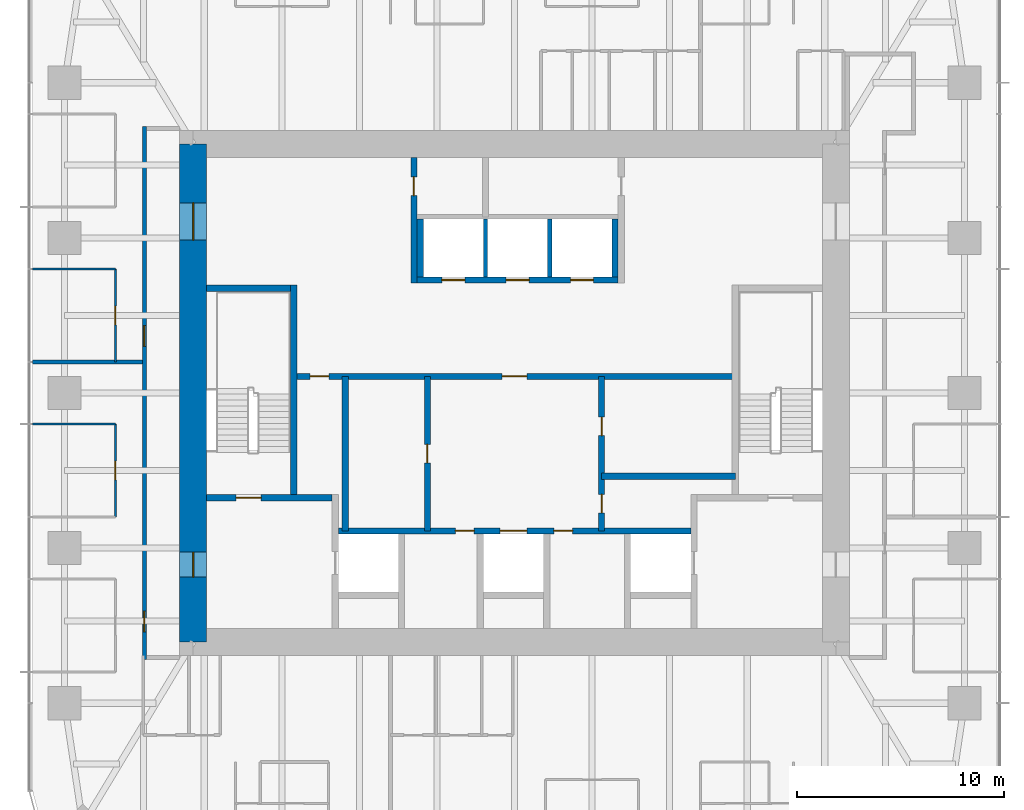
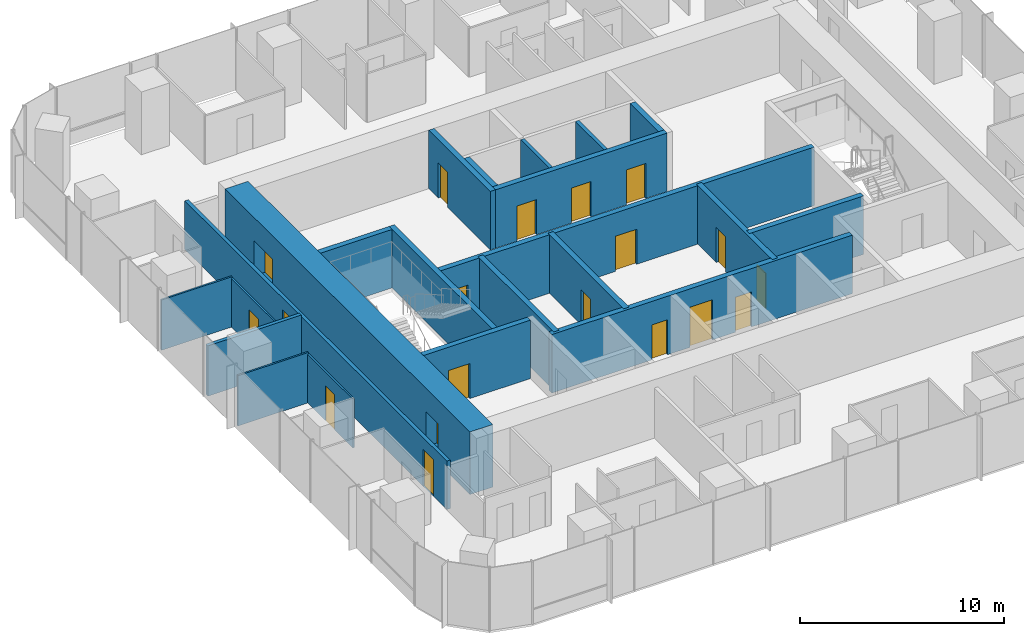
# One storey, part 9 of 12: 22 walls, 19 doors, 19 openings.
"""IFC4 building model written with IfcOpenShell, lengths in metres."""

from ifc_helpers import new_model, si_unit, direction, frame, frame_2d, origin, place, context, subcontext, project, spatial, rectangle, extrude, material, layer, layer_set, type_object, element, fill, save


model = new_model("IFC4")

# Units and contexts
model_context = context("Model", 3, precision=1e-05, world=origin(), true_north=direction((0.0, 1.0)))
body_context = subcontext(model_context, "Body", "Model", "MODEL_VIEW")
ifc_project = project(units=[si_unit("LENGTHUNIT", "METRE"), si_unit("AREAUNIT", "SQUARE_METRE"), si_unit("VOLUMEUNIT", "CUBIC_METRE"), si_unit("PLANEANGLEUNIT", "RADIAN"), si_unit("MASSUNIT", "GRAM", prefix="KILO")], contexts=[model_context])

# Site, building, storey
site_placement = place(None, origin())
site = spatial("IfcSite", under=ifc_project, at=site_placement, CompositionType="ELEMENT")
building_placement = place(site_placement, origin())
building = spatial("IfcBuilding", under=site, at=building_placement, Name="Khuree Lantern Residences", CompositionType="ELEMENT")
storey_placement = place(building_placement, frame((0.0, 0.0, 319.5)))
storey = spatial("IfcBuildingStorey", under=building, at=storey_placement, Name="L80", CompositionType="ELEMENT", Elevation=319.5)

# Wall, openings, doors
ifc_material_1 = material(Name="Dense concrete blockwork", Category="masonry")
ifc_layer_1 = layer(ifc_material_1, 0.300048828125)
ifc_layer_set_1 = layer_set([ifc_layer_1], Name="CORE PARTITION WALL CPW300 EI 120")
wall_type_1 = type_object("IfcWallType", Name="CORE PARTITION WALL CPW300 EI 120", PredefinedType="PARTITIONING", material=ifc_layer_set_1)
wall_1_placement = place(storey_placement, frame((-8.5, -6.64990234375, 0.0), z_axis=(0.0, 0.0, 1.0), x_axis=(1.0, 0.0, 0.0)))
wall_1 = element("IfcWall", 1, at=wall_1_placement, inside=storey, type_object=wall_type_1, Name="L80 CORE WALL FLROW", PredefinedType="PARTITIONING", context=body_context, shape_type="SweptSolid", body=[
    extrude(rectangle(XDim=17.0, YDim=0.300048828125, at=frame_2d((8.5, 0.0))), origin(), (0.0, 0.0, 1.0), 3.5),
])
opening_1_placement = place(wall_1_placement, frame((7.800048828125, 0.0, 0.0)))
opening_1 = element("IfcOpeningElement", 2, at=opening_1_placement, cuts=wall_1, Name="Opening 80-012", PredefinedType="OPENING", context=body_context, shape_type="SweptSolid", body=[
    extrude(rectangle(XDim=1.300048828125, YDim=2.39990234375, at=frame_2d((0.64990234375, 1.199951171875))), frame((0.0, 0.16015625, 0.0), z_axis=(0.0, -1.0, 0.0), x_axis=(1.0, 0.0, 0.0)), (0.0, 0.0, 1.0), 0.320068359375),
])
opening_2_placement = place(wall_1_placement, frame((5.64990234375, 0.0, 0.0)))
opening_2 = element("IfcOpeningElement", 3, at=opening_2_placement, cuts=wall_1, Name="Opening 80-014", PredefinedType="OPENING", context=body_context, shape_type="SweptSolid", body=[
    extrude(rectangle(XDim=0.89990234375, YDim=2.10009765625, at=frame_2d((0.449951171875, 1.050048828125))), frame((0.0, 0.16015625, 0.0), z_axis=(0.0, -1.0, 0.0), x_axis=(1.0, 0.0, 0.0)), (0.0, 0.0, 1.0), 0.320068359375),
])
opening_3_placement = place(wall_1_placement, frame((10.39990234375, 0.0, 0.0)))
opening_3 = element("IfcOpeningElement", 4, at=opening_3_placement, cuts=wall_1, Name="Opening 80-015", PredefinedType="OPENING", context=body_context, shape_type="SweptSolid", body=[
    extrude(rectangle(XDim=0.89990234375, YDim=2.10009765625, at=frame_2d((0.449951171875, 1.050048828125))), frame((0.0, 0.16015625, 0.0), z_axis=(0.0, -1.0, 0.0), x_axis=(1.0, 0.0, 0.0)), (0.0, 0.0, 1.0), 0.320068359375),
])
ifc_material_2 = material(Name="Steel door leaf in steel frame", Category="steel")
door_type_1 = type_object("IfcDoorType", Name="DOOR 900X2100 EI 60", OperationType="SINGLE_SWING_LEFT", PredefinedType="DOOR", material=ifc_material_2)
door_1_placement = place(opening_2_placement, origin())
door_1 = element("IfcDoor", 5, at=door_1_placement, inside=storey, type_object=door_type_1, Name="Refuse chute room door 80-014", OperationType="SINGLE_SWING_LEFT", OverallHeight=2.10009765625, OverallWidth=0.89990234375, PredefinedType="DOOR", context=body_context, shape_type="SweptSolid", body=[
    extrude(rectangle(XDim=0.89990234375, YDim=2.10009765625, at=frame_2d((0.449951171875, 1.050048828125))), frame((0.0, 0.02490234375, 0.0), z_axis=(0.0, -1.0, 0.0), x_axis=(1.0, 0.0, 0.0)), (0.0, 0.0, 1.0), 0.050048828125),
])
fill(opening_2, door_1)
door_type_2 = type_object("IfcDoorType", Name="DOOR 900X2100 EI 60 RIGHT HAND", OperationType="SINGLE_SWING_RIGHT", PredefinedType="DOOR", material=ifc_material_2)
door_2_placement = place(opening_3_placement, origin())
door_2 = element("IfcDoor", 6, at=door_2_placement, inside=storey, type_object=door_type_2, Name="Electrical and plumbing riser door 80-015", OperationType="SINGLE_SWING_RIGHT", OverallHeight=2.10009765625, OverallWidth=0.89990234375, PredefinedType="DOOR", context=body_context, shape_type="SweptSolid", body=[
    extrude(rectangle(XDim=0.89990234375, YDim=2.10009765625, at=frame_2d((0.449951171875, 1.050048828125))), frame((0.0, 0.02490234375, 0.0), z_axis=(0.0, -1.0, 0.0), x_axis=(1.0, 0.0, 0.0)), (0.0, 0.0, 1.0), 0.050048828125),
])
fill(opening_3, door_2)
ifc_material_3 = material(Name="Stainless steel lift landing door", Category="steel")
door_type_3 = type_object("IfcDoorType", Name="LIFT LANDING DOOR 1300X2400 E 60", OperationType="DOUBLE_DOOR_SLIDING", PredefinedType="DOOR", material=ifc_material_3)
door_3_placement = place(opening_1_placement, origin())
door_3 = element("IfcDoor", 7, at=door_3_placement, inside=storey, type_object=door_type_3, Name="Landing door SL1 80-012", OperationType="DOUBLE_DOOR_SLIDING", OverallHeight=2.39990234375, OverallWidth=1.300048828125, PredefinedType="DOOR", context=body_context, shape_type="SweptSolid", body=[
    extrude(rectangle(XDim=1.300048828125, YDim=2.39990234375, at=frame_2d((0.64990234375, 1.199951171875))), frame((0.0, 0.02490234375, 0.0), z_axis=(0.0, -1.0, 0.0), x_axis=(1.0, 0.0, 0.0)), (0.0, 0.0, 1.0), 0.050048828125),
])
fill(opening_1, door_3)

wall_2_placement = place(storey_placement, frame((-4.699951171875, 5.449951171875, 0.0), z_axis=(0.0, 0.0, 1.0), x_axis=(1.0, 0.0, 0.0)))
wall_2 = element("IfcWall", 8, at=wall_2_placement, inside=storey, type_object=wall_type_1, Name="L80 CORE WALL PHS", PredefinedType="PARTITIONING", context=body_context, shape_type="SweptSolid", body=[
    extrude(rectangle(XDim=9.699951171875, YDim=0.300048828125, at=frame_2d((4.85009765625, 0.0))), origin(), (0.0, 0.0, 1.0), 3.5),
])
opening_4_placement = place(wall_2_placement, frame((1.199951171875, 0.0, 0.0)))
opening_4 = element("IfcOpeningElement", 9, at=opening_4_placement, cuts=wall_2, Name="Opening 80-009", PredefinedType="OPENING", context=body_context, shape_type="SweptSolid", body=[
    extrude(rectangle(XDim=1.10009765625, YDim=2.10009765625, at=frame_2d((0.550048828125, 1.050048828125))), frame((0.0, 0.16015625, 0.0), z_axis=(0.0, -1.0, 0.0), x_axis=(1.0, 0.0, 0.0)), (0.0, 0.0, 1.0), 0.320068359375),
])
opening_5_placement = place(wall_2_placement, frame((4.300048828125, 0.0, 0.0)))
opening_5 = element("IfcOpeningElement", 10, at=opening_5_placement, cuts=wall_2, Name="Opening 80-010", PredefinedType="OPENING", context=body_context, shape_type="SweptSolid", body=[
    extrude(rectangle(XDim=1.10009765625, YDim=2.10009765625, at=frame_2d((0.550048828125, 1.050048828125))), frame((0.0, 0.16015625, 0.0), z_axis=(0.0, -1.0, 0.0), x_axis=(1.0, 0.0, 0.0)), (0.0, 0.0, 1.0), 0.320068359375),
])
opening_6_placement = place(wall_2_placement, frame((7.39990234375, 0.0, 0.0)))
opening_6 = element("IfcOpeningElement", 11, at=opening_6_placement, cuts=wall_2, Name="Opening 80-011", PredefinedType="OPENING", context=body_context, shape_type="SweptSolid", body=[
    extrude(rectangle(XDim=1.10009765625, YDim=2.10009765625, at=frame_2d((0.550048828125, 1.050048828125))), frame((0.0, 0.16015625, 0.0), z_axis=(0.0, -1.0, 0.0), x_axis=(1.0, 0.0, 0.0)), (0.0, 0.0, 1.0), 0.320068359375),
])
door_type_4 = type_object("IfcDoorType", Name="LIFT LANDING DOOR 1100X2100 E 60", OperationType="DOUBLE_DOOR_SLIDING", PredefinedType="DOOR", material=ifc_material_3)
door_4_placement = place(opening_4_placement, origin())
door_4 = element("IfcDoor", 12, at=door_4_placement, inside=storey, type_object=door_type_4, Name="Landing door PH1 80-009", OperationType="DOUBLE_DOOR_SLIDING", OverallHeight=2.10009765625, OverallWidth=1.10009765625, PredefinedType="DOOR", context=body_context, shape_type="SweptSolid", body=[
    extrude(rectangle(XDim=1.10009765625, YDim=2.10009765625, at=frame_2d((0.550048828125, 1.050048828125))), frame((0.0, 0.02490234375, 0.0), z_axis=(0.0, -1.0, 0.0), x_axis=(1.0, 0.0, 0.0)), (0.0, 0.0, 1.0), 0.050048828125),
])
fill(opening_4, door_4)
door_5_placement = place(opening_5_placement, origin())
door_5 = element("IfcDoor", 13, at=door_5_placement, inside=storey, type_object=door_type_4, Name="Landing door PH2 80-010", OperationType="DOUBLE_DOOR_SLIDING", OverallHeight=2.10009765625, OverallWidth=1.10009765625, PredefinedType="DOOR", context=body_context, shape_type="SweptSolid", body=[
    extrude(rectangle(XDim=1.10009765625, YDim=2.10009765625, at=frame_2d((0.550048828125, 1.050048828125))), frame((0.0, 0.02490234375, 0.0), z_axis=(0.0, -1.0, 0.0), x_axis=(1.0, 0.0, 0.0)), (0.0, 0.0, 1.0), 0.050048828125),
])
fill(opening_5, door_5)
door_6_placement = place(opening_6_placement, origin())
door_6 = element("IfcDoor", 14, at=door_6_placement, inside=storey, type_object=door_type_4, Name="Landing door PH3 80-011", OperationType="DOUBLE_DOOR_SLIDING", OverallHeight=2.10009765625, OverallWidth=1.10009765625, PredefinedType="DOOR", context=body_context, shape_type="SweptSolid", body=[
    extrude(rectangle(XDim=1.10009765625, YDim=2.10009765625, at=frame_2d((0.550048828125, 1.050048828125))), frame((0.0, 0.02490234375, 0.0), z_axis=(0.0, -1.0, 0.0), x_axis=(1.0, 0.0, 0.0)), (0.0, 0.0, 1.0), 0.050048828125),
])
fill(opening_6, door_6)

# Walls
for number, where, z_axis, x_axis, name in (
    (15, (-4.550048828125, 5.60009765625, 0.0), (0.0, 0.0, 1.0), (0.0, 1.0, 0.0), "L80 CORE WALL PHW"),
    (16, (4.85009765625, 5.60009765625, 0.0), (0.0, 0.0, 1.0), (0.0, 1.0, 0.0), "L80 CORE WALL PHE"),
):
    element("IfcWall", number, at=place(storey_placement, frame(where, z_axis=z_axis, x_axis=x_axis)), inside=storey, type_object=wall_type_1, Name=name, PredefinedType="PARTITIONING", context=body_context, shape_type="SweptSolid", body=[
        extrude(rectangle(XDim=2.7998046875, YDim=0.300048828125, at=frame_2d((1.39990234375, 0.0))), origin(), (0.0, 0.0, 1.0), 3.5),
    ])

# Wall, openings, doors
wall_3_placement = place(storey_placement, frame((-10.64990234375, 0.800048828125, 0.0), z_axis=(0.0, 0.0, 1.0), x_axis=(1.0, 0.0, 0.0)))
wall_3 = element("IfcWall", 17, at=wall_3_placement, inside=storey, type_object=wall_type_1, Name="L80 CORE WALL LLS", PredefinedType="PARTITIONING", context=body_context, shape_type="SweptSolid", body=[
    extrude(rectangle(XDim=21.2998046875, YDim=0.300048828125, at=frame_2d((10.64990234375, 0.0))), origin(), (0.0, 0.0, 1.0), 3.5),
])
opening_7_placement = place(wall_3_placement, frame((10.050048828125, 0.0, 0.0)))
opening_7 = element("IfcOpeningElement", 18, at=opening_7_placement, cuts=wall_3, Name="Opening 80-013", PredefinedType="OPENING", context=body_context, shape_type="SweptSolid", body=[
    extrude(rectangle(XDim=1.199951171875, YDim=2.10009765625, at=frame_2d((0.60009765625, 1.050048828125))), frame((0.0, 0.16015625, 0.0), z_axis=(0.0, -1.0, 0.0), x_axis=(1.0, 0.0, 0.0)), (0.0, 0.0, 1.0), 0.320068359375),
])
opening_8_placement = place(wall_3_placement, frame((0.79296875, 0.0, 0.0)))
opening_8 = element("IfcOpeningElement", 19, at=opening_8_placement, cuts=wall_3, Name="Opening 80-017", PredefinedType="OPENING", context=body_context, shape_type="SweptSolid", body=[
    extrude(rectangle(XDim=0.89990234375, YDim=2.10009765625, at=frame_2d((0.449951171875, 1.050048828125))), frame((0.0, 0.16015625, 0.0), z_axis=(0.0, -1.0, 0.0), x_axis=(1.0, 0.0, 0.0)), (0.0, 0.0, 1.0), 0.320068359375),
])
door_type_5 = type_object("IfcDoorType", Name="DOOR 1200X2100 EI 60", OperationType="SINGLE_SWING_LEFT", PredefinedType="DOOR", material=ifc_material_2)
door_7_placement = place(opening_7_placement, origin())
door_7 = element("IfcDoor", 20, at=door_7_placement, inside=storey, type_object=door_type_5, Name="Service lift lobby door 80-013", OperationType="SINGLE_SWING_LEFT", OverallHeight=2.10009765625, OverallWidth=1.199951171875, PredefinedType="DOOR", context=body_context, shape_type="SweptSolid", body=[
    extrude(rectangle(XDim=1.199951171875, YDim=2.10009765625, at=frame_2d((0.60009765625, 1.050048828125))), frame((0.0, 0.02490234375, 0.0), z_axis=(0.0, -1.0, 0.0), x_axis=(1.0, 0.0, 0.0)), (0.0, 0.0, 1.0), 0.050048828125),
])
fill(opening_7, door_7)
ifc_material_4 = material(Name="Timber door leaf in hardwood frame", Category="wood")
door_type_6 = type_object("IfcDoorType", Name="DOOR 900X2100", OperationType="SINGLE_SWING_LEFT", PredefinedType="DOOR", material=ifc_material_4)
door_8_placement = place(opening_8_placement, origin())
door_8 = element("IfcDoor", 21, at=door_8_placement, inside=storey, type_object=door_type_6, Name="Housekeeping store door 80-017", OperationType="SINGLE_SWING_LEFT", OverallHeight=2.10009765625, OverallWidth=0.89990234375, PredefinedType="DOOR", context=body_context, shape_type="SweptSolid", body=[
    extrude(rectangle(XDim=0.89990234375, YDim=2.10009765625, at=frame_2d((0.449951171875, 1.050048828125))), frame((0.0, 0.02490234375, 0.0), z_axis=(0.0, -1.0, 0.0), x_axis=(1.0, 0.0, 0.0)), (0.0, 0.0, 1.0), 0.050048828125),
])
fill(opening_8, door_8)

# Wall, opening, door
wall_4_placement = place(storey_placement, frame((-4.199951171875, -6.64990234375, 0.0), z_axis=(0.0, 0.0, 1.0), x_axis=(0.0, 1.0, 0.0)))
wall_4 = element("IfcWall", 22, at=wall_4_placement, inside=storey, type_object=wall_type_1, Name="L80 CORE WALL SVW", PredefinedType="PARTITIONING", context=body_context, shape_type="SweptSolid", body=[
    extrude(rectangle(XDim=7.449951171875, YDim=0.300048828125, at=frame_2d((3.72509765625, 0.0))), origin(), (0.0, 0.0, 1.0), 3.5),
])
opening_9_placement = place(wall_4_placement, frame((3.27490234375, 0.0, 0.0)))
opening_9 = element("IfcOpeningElement", 23, at=opening_9_placement, cuts=wall_4, Name="Opening 80-016", PredefinedType="OPENING", context=body_context, shape_type="SweptSolid", body=[
    extrude(rectangle(XDim=0.89990234375, YDim=2.10009765625, at=frame_2d((0.449951171875, 1.050048828125))), frame((0.0, 0.16015625, 0.0), z_axis=(0.0, -1.0, 0.0), x_axis=(1.0, 0.0, 0.0)), (0.0, 0.0, 1.0), 0.320068359375),
])
door_9_placement = place(opening_9_placement, origin())
door_9 = element("IfcDoor", 24, at=door_9_placement, inside=storey, type_object=door_type_6, Name="Residents' store door 80-016", OperationType="SINGLE_SWING_LEFT", OverallHeight=2.10009765625, OverallWidth=0.89990234375, PredefinedType="DOOR", context=body_context, shape_type="SweptSolid", body=[
    extrude(rectangle(XDim=0.89990234375, YDim=2.10009765625, at=frame_2d((0.449951171875, 1.050048828125))), frame((0.0, 0.02490234375, 0.0), z_axis=(0.0, -1.0, 0.0), x_axis=(1.0, 0.0, 0.0)), (0.0, 0.0, 1.0), 0.050048828125),
])
fill(opening_9, door_9)

# Wall, openings, doors
wall_5_placement = place(storey_placement, frame((4.199951171875, -6.64990234375, 0.0), z_axis=(0.0, 0.0, 1.0), x_axis=(0.0, 1.0, 0.0)))
wall_5 = element("IfcWall", 25, at=wall_5_placement, inside=storey, type_object=wall_type_1, Name="L80 CORE WALL SVE", PredefinedType="PARTITIONING", context=body_context, shape_type="SweptSolid", body=[
    extrude(rectangle(XDim=7.449951171875, YDim=0.300048828125, at=frame_2d((3.72509765625, 0.0))), origin(), (0.0, 0.0, 1.0), 3.5),
])
opening_10_placement = place(wall_5_placement, frame((0.865966796875, 0.0, 0.0)))
opening_10 = element("IfcOpeningElement", 26, at=opening_10_placement, cuts=wall_5, Name="Opening 80-018", PredefinedType="OPENING", context=body_context, shape_type="SweptSolid", body=[
    extrude(rectangle(XDim=0.89990234375, YDim=2.10009765625, at=frame_2d((0.449951171875, 1.050048828125))), frame((0.0, 0.16015625, 0.0), z_axis=(0.0, -1.0, 0.0), x_axis=(1.0, 0.0, 0.0)), (0.0, 0.0, 1.0), 0.320068359375),
])
opening_11_placement = place(wall_5_placement, frame((4.591064453125, 0.0, 0.0)))
opening_11 = element("IfcOpeningElement", 27, at=opening_11_placement, cuts=wall_5, Name="Opening 80-019", PredefinedType="OPENING", context=body_context, shape_type="SweptSolid", body=[
    extrude(rectangle(XDim=0.89990234375, YDim=2.10009765625, at=frame_2d((0.449951171875, 1.050048828125))), frame((0.0, 0.16015625, 0.0), z_axis=(0.0, -1.0, 0.0), x_axis=(1.0, 0.0, 0.0)), (0.0, 0.0, 1.0), 0.320068359375),
])
door_10_placement = place(opening_10_placement, origin())
door_10 = element("IfcDoor", 28, at=door_10_placement, inside=storey, type_object=door_type_6, Name="IT room door 80-018", OperationType="SINGLE_SWING_LEFT", OverallHeight=2.10009765625, OverallWidth=0.89990234375, PredefinedType="DOOR", context=body_context, shape_type="SweptSolid", body=[
    extrude(rectangle(XDim=0.89990234375, YDim=2.10009765625, at=frame_2d((0.449951171875, 1.050048828125))), frame((0.0, 0.02490234375, 0.0), z_axis=(0.0, -1.0, 0.0), x_axis=(1.0, 0.0, 0.0)), (0.0, 0.0, 1.0), 0.050048828125),
])
fill(opening_10, door_10)
door_type_7 = type_object("IfcDoorType", Name="DOOR 900X2100 RIGHT HAND", OperationType="SINGLE_SWING_RIGHT", PredefinedType="DOOR", material=ifc_material_4)
door_11_placement = place(opening_11_placement, origin())
door_11 = element("IfcDoor", 29, at=door_11_placement, inside=storey, type_object=door_type_7, Name="Residents' store door 80-019", OperationType="SINGLE_SWING_RIGHT", OverallHeight=2.10009765625, OverallWidth=0.89990234375, PredefinedType="DOOR", context=body_context, shape_type="SweptSolid", body=[
    extrude(rectangle(XDim=0.89990234375, YDim=2.10009765625, at=frame_2d((0.449951171875, 1.050048828125))), frame((0.0, 0.02490234375, 0.0), z_axis=(0.0, -1.0, 0.0), x_axis=(1.0, 0.0, 0.0)), (0.0, 0.0, 1.0), 0.050048828125),
])
fill(opening_11, door_11)

# Walls
wall_6_placement = place(storey_placement, frame((-8.1630859375, -6.64990234375, 0.0), z_axis=(0.0, 0.0, 1.0), x_axis=(0.0, 1.0, 0.0)))
element("IfcWall", 30, at=wall_6_placement, inside=storey, type_object=wall_type_1, Name="L80 CORE WALL WV", PredefinedType="PARTITIONING", context=body_context, shape_type="SweptSolid", body=[
    extrude(rectangle(XDim=7.449951171875, YDim=0.300048828125, at=frame_2d((3.72509765625, 0.0))), origin(), (0.0, 0.0, 1.0), 3.5),
])
wall_7_placement = place(storey_placement, frame((10.64990234375, -4.01806640625, 0.0), z_axis=(0.0, 0.0, 1.0), x_axis=(-1.0, 0.0, 0.0)))
element("IfcWall", 31, at=wall_7_placement, inside=storey, type_object=wall_type_1, Name="L80 CORE WALL EX", PredefinedType="PARTITIONING", context=body_context, shape_type="SweptSolid", body=[
    extrude(rectangle(XDim=6.449951171875, YDim=0.300048828125, at=frame_2d((3.22509765625, 0.0))), origin(), (0.0, 0.0, 1.0), 3.5),
])

# Wall, opening, door
wall_8_placement = place(storey_placement, frame((-4.85009765625, 5.300048828125, 0.0), z_axis=(0.0, 0.0, 1.0), x_axis=(0.0, 1.0, 0.0)))
wall_8 = element("IfcWall", 32, at=wall_8_placement, inside=storey, type_object=wall_type_1, Name="L80 CORE WALL NW", PredefinedType="PARTITIONING", context=body_context, shape_type="SweptSolid", body=[
    extrude(rectangle(XDim=6.050048828125, YDim=0.300048828125, at=frame_2d((3.02490234375, 0.0))), origin(), (0.0, 0.0, 1.0), 3.5),
])
opening_12_placement = place(wall_8_placement, frame((4.22509765625, 0.0, 0.0)))
opening_12 = element("IfcOpeningElement", 33, at=opening_12_placement, cuts=wall_8, Name="Opening 80-020", PredefinedType="OPENING", context=body_context, shape_type="SweptSolid", body=[
    extrude(rectangle(XDim=0.89990234375, YDim=2.10009765625, at=frame_2d((0.449951171875, 1.050048828125))), frame((0.0, 0.16015625, 0.0), z_axis=(0.0, -1.0, 0.0), x_axis=(1.0, 0.0, 0.0)), (0.0, 0.0, 1.0), 0.320068359375),
])
door_12_placement = place(opening_12_placement, origin())
door_12 = element("IfcDoor", 34, at=door_12_placement, inside=storey, type_object=door_type_7, Name="Building management room door 80-020", OperationType="SINGLE_SWING_RIGHT", OverallHeight=2.10009765625, OverallWidth=0.89990234375, PredefinedType="DOOR", context=body_context, shape_type="SweptSolid", body=[
    extrude(rectangle(XDim=0.89990234375, YDim=2.10009765625, at=frame_2d((0.449951171875, 1.050048828125))), frame((0.0, 0.02490234375, 0.0), z_axis=(0.0, -1.0, 0.0), x_axis=(1.0, 0.0, 0.0)), (0.0, 0.0, 1.0), 0.050048828125),
])
fill(opening_12, door_12)

# Wall, openings, doors
ifc_material_5 = material(Name="Gypsum board on steel studs", Category="steel")
ifc_layer_2 = layer(ifc_material_5, 0.199951171875)
ifc_layer_set_2 = layer_set([ifc_layer_2], Name="CORRIDOR WALL CRW200 EI 60")
wall_type_2 = type_object("IfcWallType", Name="CORRIDOR WALL CRW200 EI 60", PredefinedType="PARTITIONING", material=ifc_layer_set_2)
wall_9_placement = place(storey_placement, frame((-17.85009765625, 12.85009765625, 0.0), z_axis=(0.0, 0.0, 1.0), x_axis=(0.0, -1.0, 0.0)))
wall_9 = element("IfcWall", 35, at=wall_9_placement, inside=storey, type_object=wall_type_2, Name="L80 CORRIDOR WALL WEST 1", PredefinedType="PARTITIONING", context=body_context, shape_type="SweptSolid", body=[
    extrude(rectangle(XDim=25.7001953125, YDim=0.199951171875, at=frame_2d((12.85009765625, 0.0))), origin(), (0.0, 0.0, 1.0), 2.89990234375),
])
opening_13_placement = place(wall_9_placement, frame((9.60009765625, 0.0, 0.0)))
opening_13 = element("IfcOpeningElement", 36, at=opening_13_placement, cuts=wall_9, Name="Opening 80-037", PredefinedType="OPENING", context=body_context, shape_type="SweptSolid", body=[
    extrude(rectangle(XDim=1.0, YDim=2.199951171875, at=frame_2d((0.5, 1.10009765625))), frame((0.0, 0.10986328125, 0.0), z_axis=(0.0, -1.0, 0.0), x_axis=(1.0, 0.0, 0.0)), (0.0, 0.0, 1.0), 0.219970703125),
])
opening_14_placement = place(wall_9_placement, frame((23.3740234375, 0.0, 0.0)))
opening_14 = element("IfcOpeningElement", 37, at=opening_14_placement, cuts=wall_9, Name="Opening 80-044", PredefinedType="OPENING", context=body_context, shape_type="SweptSolid", body=[
    extrude(rectangle(XDim=1.0, YDim=2.199951171875, at=frame_2d((0.5, 1.10009765625))), frame((0.0, 0.10986328125, 0.0), z_axis=(0.0, -1.0, 0.0), x_axis=(1.0, 0.0, 0.0)), (0.0, 0.0, 1.0), 0.219970703125),
])
door_type_8 = type_object("IfcDoorType", Name="APARTMENT ENTRANCE DOOR 1000X2200 EI 30S", OperationType="SINGLE_SWING_LEFT", PredefinedType="DOOR", material=ifc_material_4)
door_13_placement = place(opening_13_placement, origin())
door_13 = element("IfcDoor", 38, at=door_13_placement, inside=storey, type_object=door_type_8, Name="Apartment 02 entrance door 80-037", OperationType="SINGLE_SWING_LEFT", OverallHeight=2.199951171875, OverallWidth=1.0, PredefinedType="DOOR", context=body_context, shape_type="SweptSolid", body=[
    extrude(rectangle(XDim=1.0, YDim=2.199951171875, at=frame_2d((0.5, 1.10009765625))), frame((0.0, 0.02490234375, 0.0), z_axis=(0.0, -1.0, 0.0), x_axis=(1.0, 0.0, 0.0)), (0.0, 0.0, 1.0), 0.050048828125),
])
fill(opening_13, door_13)
door_type_9 = type_object("IfcDoorType", Name="APARTMENT ENTRANCE DOOR 1000X2200 EI 30S RIGHT HAND", OperationType="SINGLE_SWING_RIGHT", PredefinedType="DOOR", material=ifc_material_4)
door_14_placement = place(opening_14_placement, origin())
door_14 = element("IfcDoor", 39, at=door_14_placement, inside=storey, type_object=door_type_9, Name="Apartment 03 entrance door 80-044", OperationType="SINGLE_SWING_RIGHT", OverallHeight=2.199951171875, OverallWidth=1.0, PredefinedType="DOOR", context=body_context, shape_type="SweptSolid", body=[
    extrude(rectangle(XDim=1.0, YDim=2.199951171875, at=frame_2d((0.5, 1.10009765625))), frame((0.0, 0.02490234375, 0.0), z_axis=(0.0, -1.0, 0.0), x_axis=(1.0, 0.0, 0.0)), (0.0, 0.0, 1.0), 0.050048828125),
])
fill(opening_14, door_14)

ifc_material_6 = material(Name="Concrete C50/60", Category="concrete")
ifc_layer_3 = layer(ifc_material_6, 1.300048828125)
ifc_layer_set_3 = layer_set([ifc_layer_3], Name="CW1300-C50 CORE WALL C50 1300")
wall_type_3 = type_object("IfcWallType", Name="CW1300-C50 CORE WALL C50 1300", PredefinedType="SHEAR", material=ifc_layer_set_3)
wall_10_placement = place(storey_placement, frame((-15.5, -12.0, -0.25), z_axis=(0.0, 0.0, 1.0), x_axis=(0.0, 1.0, 0.0)))
wall_10 = element("IfcWall", 40, at=wall_10_placement, inside=storey, type_object=wall_type_3, Name="Core wall W", PredefinedType="SHEAR", context=body_context, shape_type="SweptSolid", body=[
    extrude(rectangle(XDim=24.0, YDim=1.300048828125, at=frame_2d((12.0, 0.0))), origin(), (0.0, 0.0, 1.0), 3.75),
])
opening_15_placement = place(wall_10_placement, frame((3.125, 0.0, 0.25)))
opening_15 = element("IfcOpeningElement", 41, at=opening_15_placement, cuts=wall_10, Name="Opening 80-002", PredefinedType="OPENING", context=body_context, shape_type="SweptSolid", body=[
    extrude(rectangle(XDim=1.199951171875, YDim=2.10009765625, at=frame_2d((0.60009765625, 1.050048828125))), frame((0.0, 0.66015625, 0.0), z_axis=(0.0, -1.0, 0.0), x_axis=(1.0, 0.0, 0.0)), (0.0, 0.0, 1.0), 1.320068359375),
])
opening_16_placement = place(wall_10_placement, frame((19.375, 0.0, 0.25)))
opening_16 = element("IfcOpeningElement", 42, at=opening_16_placement, cuts=wall_10, Name="Opening 80-003", PredefinedType="OPENING", context=body_context, shape_type="SweptSolid", body=[
    extrude(rectangle(XDim=1.800048828125, YDim=2.10009765625, at=frame_2d((0.89990234375, 1.050048828125))), frame((0.0, 0.66015625, 0.0), z_axis=(0.0, -1.0, 0.0), x_axis=(1.0, 0.0, 0.0)), (0.0, 0.0, 1.0), 1.320068359375),
])
door_type_10 = type_object("IfcDoorType", Name="LOBBY DOOR 1200X2100 EI 120", OperationType="SINGLE_SWING_LEFT", PredefinedType="DOOR", material=ifc_material_2)
door_15_placement = place(opening_15_placement, origin())
door_15 = element("IfcDoor", 43, at=door_15_placement, inside=storey, type_object=door_type_10, Name="Firefighting lobby door 80-002", OperationType="SINGLE_SWING_LEFT", OverallHeight=2.10009765625, OverallWidth=1.199951171875, PredefinedType="DOOR", context=body_context, shape_type="SweptSolid", body=[
    extrude(rectangle(XDim=1.199951171875, YDim=2.10009765625, at=frame_2d((0.60009765625, 1.050048828125))), frame((0.0, 0.02490234375, 0.0), z_axis=(0.0, -1.0, 0.0), x_axis=(1.0, 0.0, 0.0)), (0.0, 0.0, 1.0), 0.050048828125),
])
fill(opening_15, door_15)
door_type_11 = type_object("IfcDoorType", Name="LOBBY DOUBLE DOOR 1800X2100 EI 60", OperationType="DOUBLE_DOOR_SINGLE_SWING", PredefinedType="DOOR", material=ifc_material_2)
door_16_placement = place(opening_16_placement, origin())
door_16 = element("IfcDoor", 44, at=door_16_placement, inside=storey, type_object=door_type_11, Name="Lift lobby door 80-003", OperationType="DOUBLE_DOOR_SINGLE_SWING", OverallHeight=2.10009765625, OverallWidth=1.800048828125, PredefinedType="DOOR", context=body_context, shape_type="SweptSolid", body=[
    extrude(rectangle(XDim=1.800048828125, YDim=2.10009765625, at=frame_2d((0.89990234375, 1.050048828125))), frame((0.0, 0.02490234375, 0.0), z_axis=(0.0, -1.0, 0.0), x_axis=(1.0, 0.0, 0.0)), (0.0, 0.0, 1.0), 0.050048828125),
])
fill(opening_16, door_16)

# Walls
ifc_layer_4 = layer(ifc_material_5, 0.199951171875)
ifc_layer_set_4 = layer_set([ifc_layer_4], Name="DEMISING WALL DMW200 EI 90")
wall_type_4 = type_object("IfcWallType", Name="DEMISING WALL DMW200 EI 90", PredefinedType="PARTITIONING", material=ifc_layer_set_4)
wall_11_placement = place(storey_placement, frame((-17.949951171875, 1.49609375, 0.0), z_axis=(0.0, 0.0, 1.0), x_axis=(-1.0, 0.0, 0.0)))
element("IfcWall", 45, at=wall_11_placement, inside=storey, type_object=wall_type_4, Name="L80 DEMISING WALL 03", PredefinedType="PARTITIONING", context=body_context, shape_type="SweptSolid", body=[
    extrude(rectangle(XDim=5.300048828125, YDim=0.199951171875, at=frame_2d((2.64990234375, 0.0))), origin(), (0.0, 0.0, 1.0), 3.010009765625),
])
ifc_layer_5 = layer(ifc_material_5, 0.10009765625)
ifc_layer_set_5 = layer_set([ifc_layer_5], Name="PARTITION PT100")
wall_type_5 = type_object("IfcWallType", Name="PARTITION PT100", PredefinedType="PARTITIONING", material=ifc_layer_set_5)
for number, where, z_axis, x_axis, name in (
    (46, (-19.25, 5.98388671875, 0.0), (0.0, 0.0, 1.0), (-1.0, 0.0, 0.0), "L80 PARTITION 02"),
    (47, (-19.25, -1.49609375, 0.0), (0.0, 0.0, 1.0), (-1.0, 0.0, 0.0), "L80 PARTITION 03"),
):
    element("IfcWall", number, at=place(storey_placement, frame(where, z_axis=z_axis, x_axis=x_axis)), inside=storey, type_object=wall_type_5, Name=name, PredefinedType="PARTITIONING", context=body_context, shape_type="SweptSolid", body=[
        extrude(rectangle(XDim=4.0, YDim=0.10009765625, at=frame_2d((2.0, 0.0))), origin(), (0.0, 0.0, 1.0), 3.010009765625),
    ])

# Wall, opening, door
wall_12_placement = place(storey_placement, frame((-19.25, 5.98388671875, 0.0), z_axis=(0.0, 0.0, 1.0), x_axis=(0.0, -1.0, 0.0)))
wall_12 = element("IfcWall", 48, at=wall_12_placement, inside=storey, type_object=wall_type_5, Name="L80 PARTITION 02", PredefinedType="PARTITIONING", context=body_context, shape_type="SweptSolid", body=[
    extrude(rectangle(XDim=4.48779296875, YDim=0.10009765625, at=frame_2d((2.243896484375, 0.0))), origin(), (0.0, 0.0, 1.0), 2.909912109375),
])
opening_17_placement = place(wall_12_placement, frame((1.7939453125, 0.0, 0.0)))
opening_17 = element("IfcOpeningElement", 49, at=opening_17_placement, cuts=wall_12, Name="Opening 80-032", PredefinedType="OPENING", context=body_context, shape_type="SweptSolid", body=[
    extrude(rectangle(XDim=0.89990234375, YDim=2.10009765625, at=frame_2d((0.449951171875, 1.050048828125))), frame((0.0, 0.06005859375, 0.0), z_axis=(0.0, -1.0, 0.0), x_axis=(1.0, 0.0, 0.0)), (0.0, 0.0, 1.0), 0.1201171875),
])
door_type_12 = type_object("IfcDoorType", Name="BEDROOM DOOR 900X2100 RIGHT HAND", OperationType="SINGLE_SWING_RIGHT", PredefinedType="DOOR", material=ifc_material_4)
door_17_placement = place(opening_17_placement, origin())
door_17 = element("IfcDoor", 50, at=door_17_placement, inside=storey, type_object=door_type_12, Name="Bedroom door 80-032", OperationType="SINGLE_SWING_RIGHT", OverallHeight=2.10009765625, OverallWidth=0.89990234375, PredefinedType="DOOR", context=body_context, shape_type="SweptSolid", body=[
    extrude(rectangle(XDim=0.89990234375, YDim=2.10009765625, at=frame_2d((0.449951171875, 1.050048828125))), frame((0.0, 0.02490234375, 0.0), z_axis=(0.0, -1.0, 0.0), x_axis=(1.0, 0.0, 0.0)), (0.0, 0.0, 1.0), 0.050048828125),
])
fill(opening_17, door_17)

wall_13_placement = place(storey_placement, frame((-19.25, -1.49609375, 0.0), z_axis=(0.0, 0.0, 1.0), x_axis=(0.0, -1.0, 0.0)))
wall_13 = element("IfcWall", 51, at=wall_13_placement, inside=storey, type_object=wall_type_5, Name="L80 PARTITION 03", PredefinedType="PARTITIONING", context=body_context, shape_type="SweptSolid", body=[
    extrude(rectangle(XDim=4.48779296875, YDim=0.10009765625, at=frame_2d((2.243896484375, 0.0))), origin(), (0.0, 0.0, 1.0), 2.909912109375),
])
opening_18_placement = place(wall_13_placement, frame((1.7939453125, 0.0, 0.0)))
opening_18 = element("IfcOpeningElement", 52, at=opening_18_placement, cuts=wall_13, Name="Opening 80-038", PredefinedType="OPENING", context=body_context, shape_type="SweptSolid", body=[
    extrude(rectangle(XDim=0.89990234375, YDim=2.10009765625, at=frame_2d((0.449951171875, 1.050048828125))), frame((0.0, 0.06005859375, 0.0), z_axis=(0.0, -1.0, 0.0), x_axis=(1.0, 0.0, 0.0)), (0.0, 0.0, 1.0), 0.1201171875),
])
door_type_13 = type_object("IfcDoorType", Name="BEDROOM DOOR 900X2100", OperationType="SINGLE_SWING_LEFT", PredefinedType="DOOR", material=ifc_material_4)
door_18_placement = place(opening_18_placement, origin())
door_18 = element("IfcDoor", 53, at=door_18_placement, inside=storey, type_object=door_type_13, Name="Bedroom door 80-038", OperationType="SINGLE_SWING_LEFT", OverallHeight=2.10009765625, OverallWidth=0.89990234375, PredefinedType="DOOR", context=body_context, shape_type="SweptSolid", body=[
    extrude(rectangle(XDim=0.89990234375, YDim=2.10009765625, at=frame_2d((0.449951171875, 1.050048828125))), frame((0.0, 0.02490234375, 0.0), z_axis=(0.0, -1.0, 0.0), x_axis=(1.0, 0.0, 0.0)), (0.0, 0.0, 1.0), 0.050048828125),
])
fill(opening_18, door_18)

# Walls
ifc_layer_6 = layer(ifc_material_1, 0.199951171875)
ifc_layer_set_6 = layer_set([ifc_layer_6], Name="SHAFT WALL SHW200 EI 120")
wall_type_6 = type_object("IfcWallType", Name="SHAFT WALL SHW200 EI 120", PredefinedType="PARTITIONING", material=ifc_layer_set_6)
for number, where, z_axis, x_axis, name in (
    (54, (-1.39990234375, 5.60009765625, 0.0), (0.0, 0.0, 1.0), (0.0, 1.0, 0.0), "L80 CORE WALL PHD1"),
    (55, (1.699951171875, 5.60009765625, 0.0), (0.0, 0.0, 1.0), (0.0, 1.0, 0.0), "L80 CORE WALL PHD2"),
):
    element("IfcWall", number, at=place(storey_placement, frame(where, z_axis=z_axis, x_axis=x_axis)), inside=storey, type_object=wall_type_6, Name=name, PredefinedType="PARTITIONING", context=body_context, shape_type="SweptSolid", body=[
        extrude(rectangle(XDim=2.7998046875, YDim=0.199951171875, at=frame_2d((1.39990234375, 0.0))), origin(), (0.0, 0.0, 1.0), 3.5),
    ])
ifc_layer_7 = layer(ifc_material_6, 0.300048828125)
ifc_layer_set_7 = layer_set([ifc_layer_7], Name="STAIR WALL SRW300 C50/60 REI 240")
wall_type_7 = type_object("IfcWallType", Name="STAIR WALL SRW300 C50/60 REI 240", PredefinedType="SOLIDWALL", material=ifc_layer_set_7)
wall_14_placement = place(storey_placement, frame((-10.64990234375, -4.89990234375, 0.0), z_axis=(0.0, 0.0, 1.0), x_axis=(0.0, 1.0, 0.0)))
element("IfcWall", 56, at=wall_14_placement, inside=storey, type_object=wall_type_7, Name="L80 STAIR WALL ST1E", PredefinedType="SOLIDWALL", context=body_context, shape_type="SweptSolid", body=[
    extrude(rectangle(XDim=10.099853515625, YDim=0.300048828125, at=frame_2d((5.0498046875, 0.0))), origin(), (0.0, 0.0, 1.0), 3.5),
])

# Wall, opening, door
wall_15_placement = place(storey_placement, frame((-14.85009765625, -5.050048828125, 0.0), z_axis=(0.0, 0.0, 1.0), x_axis=(1.0, 0.0, 0.0)))
wall_15 = element("IfcWall", 57, at=wall_15_placement, inside=storey, type_object=wall_type_7, Name="L80 STAIR WALL ST1S", PredefinedType="SOLIDWALL", context=body_context, shape_type="SweptSolid", body=[
    extrude(rectangle(XDim=6.050048828125, YDim=0.300048828125, at=frame_2d((3.02490234375, 0.0))), origin(), (0.0, 0.0, 1.0), 3.5),
])
opening_19_placement = place(wall_15_placement, frame((1.425048828125, 0.0, 0.0)))
opening_19 = element("IfcOpeningElement", 58, at=opening_19_placement, cuts=wall_15, Name="Opening 80-001", PredefinedType="OPENING", context=body_context, shape_type="SweptSolid", body=[
    extrude(rectangle(XDim=1.199951171875, YDim=2.10009765625, at=frame_2d((0.60009765625, 1.050048828125))), frame((0.0, 0.16015625, 0.0), z_axis=(0.0, -1.0, 0.0), x_axis=(1.0, 0.0, 0.0)), (0.0, 0.0, 1.0), 0.320068359375),
])
door_type_14 = type_object("IfcDoorType", Name="STAIR DOOR 1200X2100 EI 120", OperationType="SINGLE_SWING_LEFT", PredefinedType="DOOR", material=ifc_material_2)
door_19_placement = place(opening_19_placement, origin())
door_19 = element("IfcDoor", 59, at=door_19_placement, inside=storey, type_object=door_type_14, Name="Stair ST1 door 80-001", OperationType="SINGLE_SWING_LEFT", OverallHeight=2.10009765625, OverallWidth=1.199951171875, PredefinedType="DOOR", context=body_context, shape_type="SweptSolid", body=[
    extrude(rectangle(XDim=1.199951171875, YDim=2.10009765625, at=frame_2d((0.60009765625, 1.050048828125))), frame((0.0, 0.02490234375, 0.0), z_axis=(0.0, -1.0, 0.0), x_axis=(1.0, 0.0, 0.0)), (0.0, 0.0, 1.0), 0.050048828125),
])
fill(opening_19, door_19)

# Wall
wall_16_placement = place(storey_placement, frame((-14.85009765625, 5.050048828125, 0.0), z_axis=(0.0, 0.0, 1.0), x_axis=(1.0, 0.0, 0.0)))
element("IfcWall", 60, at=wall_16_placement, inside=storey, type_object=wall_type_7, Name="L80 STAIR WALL ST1N", PredefinedType="SOLIDWALL", context=body_context, shape_type="SweptSolid", body=[
    extrude(rectangle(XDim=4.050048828125, YDim=0.300048828125, at=frame_2d((2.02490234375, 0.0))), origin(), (0.0, 0.0, 1.0), 3.5),
])

save(model, "model.ifc")
